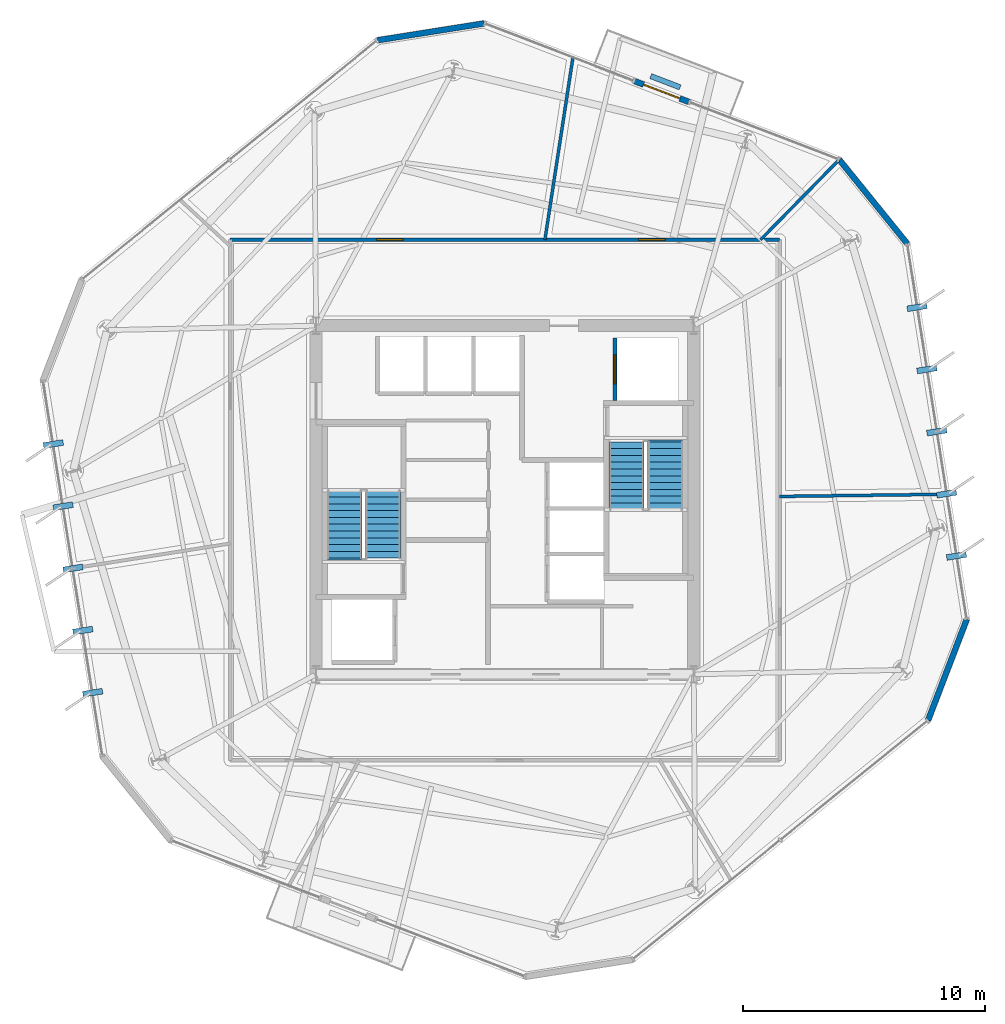
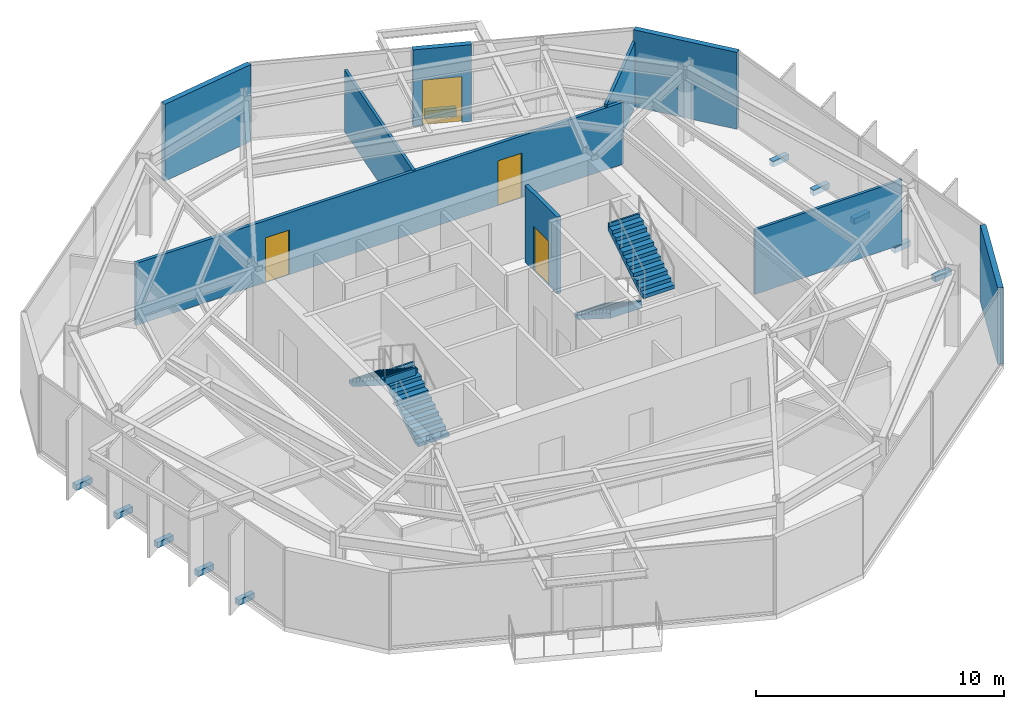
# One storey, part 8 of 12: 10 discrete accessories, 10 walls, 4 doors, 4 stair flights, 4 openings, 2 elements without a shape of their own.
"""IFC4 building model written with IfcOpenShell, lengths in metres."""

from ifc_helpers import new_model, si_unit, direction, frame, frame_2d, origin, origin_2d, place, context, subcontext, project, spatial, polyline, rectangle, outline, extrude, material, layer, layer_set, type_object, element, fill, aggregate, save


model = new_model("IFC4")

# Units and contexts
model_context = context("Model", 3, precision=1e-05, world=origin(), true_north=direction((0.0, 1.0)))
body_context = subcontext(model_context, "Body", "Model", "MODEL_VIEW")
ifc_project = project(units=[si_unit("LENGTHUNIT", "METRE"), si_unit("AREAUNIT", "SQUARE_METRE"), si_unit("VOLUMEUNIT", "CUBIC_METRE"), si_unit("PLANEANGLEUNIT", "RADIAN"), si_unit("MASSUNIT", "GRAM", prefix="KILO")], contexts=[model_context])

# Site, building, storey
site_placement = place(None, origin())
site = spatial("IfcSite", under=ifc_project, at=site_placement, CompositionType="ELEMENT")
building_placement = place(site_placement, origin())
building = spatial("IfcBuilding", under=site, at=building_placement, Name="Kranzbogen Civic Tower", CompositionType="ELEMENT")
storey_placement = place(building_placement, frame((0.0, 0.0, 180.800048828125)))
storey = spatial("IfcBuildingStorey", under=building, at=storey_placement, Name="L43", CompositionType="ELEMENT", Elevation=180.800048828125)

# Wall, openings, doors
ifc_material_1 = material(Name="Double-Stud Acoustic Gypsum Partition")
ifc_layer_1 = layer(ifc_material_1, 0.14990234375, Name="Double-Stud Acoustic Gypsum Partition")
ifc_layer_set_1 = layer_set([ifc_layer_1], Name="Double-Stud Acoustic Gypsum Partition")
wall_type_1 = type_object("IfcWallType", Name="Acoustic Corridor and Clinical Partition 150 mm", PredefinedType="PARTITIONING", material=ifc_layer_set_1)
wall_1_placement = place(storey_placement, frame((13.64990234375, 35.75, 0.0), z_axis=(0.0, 0.0, 1.0), x_axis=(1.0, 0.0, 0.0)))
wall_1 = element("IfcWall", 1, at=wall_1_placement, inside=storey, type_object=wall_type_1, Name="L43 corridor partition 01", PredefinedType="PARTITIONING", context=body_context, shape_type="SweptSolid", body=[
    extrude(rectangle(XDim=22.7001953125, YDim=0.14990234375, at=frame_2d((11.35009765625, 0.0))), origin(), (0.0, 0.0, 1.0), 3.050048828125),
])
opening_1_placement = place(wall_1_placement, frame((16.87109375, 0.0, 0.0)))
opening_1 = element("IfcOpeningElement", 2, at=opening_1_placement, cuts=wall_1, Name="Opening D-COR60", PredefinedType="OPENING", context=body_context, shape_type="SweptSolid", body=[
    extrude(rectangle(XDim=1.10009765625, YDim=2.199951171875, at=frame_2d((0.550048828125, 1.10009765625))), frame((0.0, 0.0849609375, 0.0), z_axis=(0.0, -1.0, 0.0), x_axis=(1.0, 0.0, 0.0)), (0.0, 0.0, 1.0), 0.169921875),
])
opening_2_placement = place(wall_1_placement, frame((6.050048828125, 0.0, 0.0)))
opening_2 = element("IfcOpeningElement", 3, at=opening_2_placement, cuts=wall_1, Name="Opening D-COR60", PredefinedType="OPENING", context=body_context, shape_type="SweptSolid", body=[
    extrude(rectangle(XDim=1.10009765625, YDim=2.199951171875, at=frame_2d((0.550048828125, 1.10009765625))), frame((0.0, 0.0849609375, 0.0), z_axis=(0.0, -1.0, 0.0), x_axis=(1.0, 0.0, 0.0)), (0.0, 0.0, 1.0), 0.169921875),
])
ifc_material_2 = material(Name="Oak Timber and Fire Core", Category="wood")
door_type_1 = type_object("IfcDoorType", Name="Corridor Acoustic Fire Door 1100x2200", OperationType="NOTDEFINED", PredefinedType="DOOR", material=ifc_material_2)
door_1_placement = place(opening_1_placement, origin())
door_1 = element("IfcDoor", 4, at=door_1_placement, inside=storey, type_object=door_type_1, Name="L43 Visitor Concierge Foyer door", OperationType="SINGLE_SWING_RIGHT", OverallHeight=2.199951171875, OverallWidth=1.10009765625, PredefinedType="DOOR", context=body_context, shape_type="SweptSolid", body=[
    extrude(rectangle(XDim=1.10009765625, YDim=2.199951171875, at=frame_2d((0.550048828125, 1.10009765625))), frame((0.0, 0.02490234375, 0.0), z_axis=(0.0, -1.0, 0.0), x_axis=(1.0, 0.0, 0.0)), (0.0, 0.0, 1.0), 0.050048828125),
])
fill(opening_1, door_1)
door_2_placement = place(opening_2_placement, origin())
door_2 = element("IfcDoor", 5, at=door_2_placement, inside=storey, type_object=door_type_1, Name="L43 Protocol Entrance Reception door", OperationType="SINGLE_SWING_LEFT", OverallHeight=2.199951171875, OverallWidth=1.10009765625, PredefinedType="DOOR", context=body_context, shape_type="SweptSolid", body=[
    extrude(rectangle(XDim=1.10009765625, YDim=2.199951171875, at=frame_2d((0.550048828125, 1.10009765625))), frame((0.0, 0.02490234375, 0.0), z_axis=(0.0, -1.0, 0.0), x_axis=(1.0, 0.0, 0.0)), (0.0, 0.0, 1.0), 0.050048828125),
])
fill(opening_2, door_2)

# Walls
ifc_material_3 = material(Name="Insulated Metal-Stud Gypsum Partition")
ifc_layer_2 = layer(ifc_material_3, 0.125, Name="Insulated Metal-Stud Gypsum Partition")
ifc_layer_set_2 = layer_set([ifc_layer_2], Name="Insulated Metal-Stud Gypsum Partition")
wall_type_2 = type_object("IfcWallType", Name="Acoustic Inter-Room Partition 125 mm", PredefinedType="PARTITIONING", material=ifc_layer_set_2)
wall_2_placement = place(storey_placement, frame((26.653076171875, 35.75, 0.0), z_axis=(0.0, 0.0, 1.0), x_axis=(0.151972699026, 0.988384691682, 0.0)))
element("IfcWall", 6, at=wall_2_placement, inside=storey, type_object=wall_type_2, Name="L43 radial room partition 01", PredefinedType="PARTITIONING", context=body_context, shape_type="SweptSolid", body=[
    extrude(rectangle(XDim=7.600341796875, YDim=0.125, at=frame_2d((3.80029296875, 0.0))), origin(), (0.0, 0.0, 1.0), 3.050048828125),
])
wall_3_placement = place(storey_placement, frame((36.35009765625, 25.14697265625, 0.0), z_axis=(0.0, 0.0, 1.0), x_axis=(0.999916442153, 0.012927053497, 0.0)))
element("IfcWall", 7, at=wall_3_placement, inside=storey, type_object=wall_type_2, Name="L43 radial room partition 06", PredefinedType="PARTITIONING", context=body_context, shape_type="SweptSolid", body=[
    extrude(rectangle(XDim=6.893310546875, YDim=0.125, at=frame_2d((3.44677734375, 0.0))), origin(), (0.0, 0.0, 1.0), 3.179931640625),
])
wall_4_placement = place(storey_placement, frame((35.56005859375, 35.75, 0.0), z_axis=(0.0, 0.0, 1.0), x_axis=(0.700786827559, 0.71337074675, 0.0)))
element("IfcWall", 8, at=wall_4_placement, inside=storey, type_object=wall_type_2, Name="L43 radial room partition 07", PredefinedType="PARTITIONING", context=body_context, shape_type="SweptSolid", body=[
    extrude(rectangle(XDim=4.617431640625, YDim=0.125, at=frame_2d((2.30859375, 0.0))), origin(), (0.0, 0.0, 1.0), 3.179931640625),
])
ifc_material_4 = material(Name="Architectural Precast Terracotta Concrete C40/50", Category="masonry")
ifc_layer_3 = layer(ifc_material_4, 0.219970703125, Name="Architectural Precast Terracotta Concrete C40/50")
ifc_layer_set_3 = layer_set([ifc_layer_3], Name="Architectural Precast Terracotta Concrete C40/50")
wall_type_3 = type_object("IfcWallType", Name="Architectural Tree Planter Kerb Wall 220 mm", PredefinedType="USERDEFINED", material=ifc_layer_set_3)
wall_5_placement = place(storey_placement, frame((32.239013671875, 42.0419921875, 0.0), z_axis=(0.0, 0.0, 1.0), x_axis=(-0.933577653273, 0.358375173959, 0.0)))
element("IfcWall", 9, at=wall_5_placement, inside=storey, type_object=wall_type_3, Name="L43 landscaped tree balcony planter L43-TB1", ObjectType="PLANTER_WALL", PredefinedType="USERDEFINED", context=body_context, shape_type="SweptSolid", body=[
    extrude(rectangle(XDim=1.300537109375, YDim=0.219970703125, at=frame_2d((0.650390625, 0.0))), origin(), (0.0, 0.0, 1.0), 0.39990234375),
])

# Wall, opening, door
ifc_material_5 = material(Name="Gypsum Fireboard Shaftliner")
ifc_layer_4 = layer(ifc_material_5, 0.175048828125, Name="Gypsum Fireboard Shaftliner")
ifc_layer_set_4 = layer_set([ifc_layer_4], Name="Gypsum Fireboard Shaftliner")
wall_type_4 = type_object("IfcWallType", Name="Fire-Rated Lift and Service Shaft Wall 175 mm", PredefinedType="PARTITIONING", material=ifc_layer_set_4)
wall_6_placement = place(storey_placement, frame((29.550048828125, 29.10009765625, 0.0), z_axis=(0.0, 0.0, 1.0), x_axis=(0.0, 1.0, 0.0)))
wall_6 = element("IfcWall", 10, at=wall_6_placement, inside=storey, type_object=wall_type_4, Name="L43 lift FF-02 landing wall", PredefinedType="PARTITIONING", context=body_context, shape_type="SweptSolid", body=[
    extrude(rectangle(XDim=2.599853515625, YDim=0.175048828125, at=frame_2d((1.2998046875, 0.0))), origin(), (0.0, 0.0, 1.0), 3.780029296875),
])
opening_3_placement = place(wall_6_placement, frame((0.699951171875, 0.0, 0.0)))
opening_3 = element("IfcOpeningElement", 11, at=opening_3_placement, cuts=wall_6, Name="Opening LD-FF-02", PredefinedType="OPENING", context=body_context, shape_type="SweptSolid", body=[
    extrude(rectangle(XDim=1.199951171875, YDim=2.199951171875, at=frame_2d((0.60009765625, 1.10009765625))), frame((0.0, 0.09765625, 0.0), z_axis=(0.0, -1.0, 0.0), x_axis=(1.0, 0.0, 0.0)), (0.0, 0.0, 1.0), 0.195068359375),
])
ifc_material_6 = material(Name="Pale Anodised Aluminium", Category="aluminium")
door_type_2 = type_object("IfcDoorType", Name="Firefighting and Stretcher Lift Sliding Landing Door 1200x2200", OperationType="DOUBLE_DOOR_SLIDING", PredefinedType="DOOR", material=ifc_material_6)
door_3_placement = place(opening_3_placement, origin())
door_3 = element("IfcDoor", 12, at=door_3_placement, inside=storey, type_object=door_type_2, Name="L43 lift FF-02 sliding landing door", OperationType="DOUBLE_DOOR_SLIDING", OverallHeight=2.199951171875, OverallWidth=1.199951171875, PredefinedType="DOOR", context=body_context, shape_type="SweptSolid", body=[
    extrude(rectangle(XDim=1.199951171875, YDim=2.199951171875, at=frame_2d((0.60009765625, 1.10009765625))), frame((0.0, 0.02490234375, 0.0), z_axis=(0.0, -1.0, 0.0), x_axis=(1.0, 0.0, 0.0)), (0.0, 0.0, 1.0), 0.050048828125),
])
fill(opening_3, door_3)

ifc_layer_5 = layer(ifc_material_6, 0.239990234375, Name="Pale Anodised Aluminium")
ifc_layer_set_5 = layer_set([ifc_layer_5], Name="Pale Anodised Aluminium")
wall_type_5 = type_object("IfcWallType", Name="Insulated Aluminium Facade Portal Wall 240 mm", PredefinedType="STANDARD", material=ifc_layer_set_5)
wall_7_placement = place(storey_placement, frame((32.596923828125, 41.44091796875, 0.0), z_axis=(0.0, 0.0, 1.0), x_axis=(-0.933544764029, 0.358460839638, 0.0)))
wall_7 = element("IfcWall", 13, at=wall_7_placement, inside=storey, type_object=wall_type_5, Name="L43 exterior entrance portal wall 1", PredefinedType="STANDARD", context=body_context, shape_type="SweptSolid", body=[
    extrude(rectangle(XDim=2.3994140625, YDim=0.239990234375, at=frame_2d((1.19970703125, 0.0))), origin(), (0.0, 0.0, 1.0), 3.780029296875),
])
opening_4_placement = place(wall_7_placement, frame((0.39990234375, 0.0, 0.0)))
opening_4 = element("IfcOpeningElement", 14, at=opening_4_placement, cuts=wall_7, Name="Opening D-TER", PredefinedType="OPENING", context=body_context, shape_type="SweptSolid", body=[
    extrude(rectangle(XDim=1.60009765625, YDim=2.25, at=frame_2d((0.800048828125, 1.125))), frame((0.0, 0.1298828125, 0.0), z_axis=(0.0, -1.0, 0.0), x_axis=(1.0, 0.0, 0.0)), (0.0, 0.0, 1.0), 0.260009765625),
])
ifc_material_7 = material(Name="Anodised Bronze and Triple Glass", Category="glass")
door_type_3 = type_object("IfcDoorType", Name="Glazed Terrace and Balcony Double Door 1600x2250", OperationType="DOUBLE_DOOR_SINGLE_SWING", PredefinedType="DOOR", material=ifc_material_7)
door_4_placement = place(opening_4_placement, frame((1.60009765625, 0.0, 0.0), z_axis=(0.0, 0.0, 1.0), x_axis=(-1.0, 0.0, 0.0)))
door_4 = element("IfcDoor", 15, at=door_4_placement, inside=storey, type_object=door_type_3, Name="L43 tree balcony access door L43-TB1", OperationType="DOUBLE_DOOR_SINGLE_SWING", OverallHeight=2.25, OverallWidth=1.60009765625, PredefinedType="DOOR", context=body_context, shape_type="SweptSolid", body=[
    extrude(rectangle(XDim=1.60009765625, YDim=2.25, at=frame_2d((0.800048828125, 1.125))), frame((0.0, 0.02490234375, 0.0), z_axis=(0.0, -1.0, 0.0), x_axis=(1.0, 0.0, 0.0)), (0.0, 0.0, 1.0), 0.050048828125),
])
fill(opening_4, door_4)

# Walls
wall_8_placement = place(storey_placement, frame((24.14404296875, 44.68603515625, 0.0), z_axis=(0.0, 0.0, 1.0), x_axis=(-0.987693325828, -0.156402986275, 0.0)))
element("IfcWall", 16, at=wall_8_placement, inside=storey, type_object=wall_type_5, Name="L43 chamfered corner facade spandrel 1", PredefinedType="STANDARD", context=body_context, shape_type="SweptSolid", body=[
    extrude(rectangle(XDim=4.468994140625, YDim=0.239990234375, at=frame_2d((2.234375, 0.0))), origin(), (0.0, 0.0, 1.0), 3.780029296875),
])
wall_9_placement = place(storey_placement, frame((42.47705078125, 15.89892578125, 0.0), z_axis=(0.0, 0.0, 1.0), x_axis=(0.358114682982, 0.933677607011, 0.0)))
element("IfcWall", 17, at=wall_9_placement, inside=storey, type_object=wall_type_5, Name="L43 chamfered corner facade spandrel 5", PredefinedType="STANDARD", context=body_context, shape_type="SweptSolid", body=[
    extrude(rectangle(XDim=4.467529296875, YDim=0.239990234375, at=frame_2d((2.23388671875, 0.0))), origin(), (0.0, 0.0, 1.0), 3.780029296875),
])
wall_10_placement = place(storey_placement, frame((41.62109375, 35.583984375, 0.0), z_axis=(0.0, 0.0, 1.0), x_axis=(-0.629281524136, 0.777177433654, 0.0)))
element("IfcWall", 18, at=wall_10_placement, inside=storey, type_object=wall_type_5, Name="L43 chamfered corner facade spandrel 6", PredefinedType="STANDARD", context=body_context, shape_type="SweptSolid", body=[
    extrude(rectangle(XDim=4.468505859375, YDim=0.239990234375, at=frame_2d((2.234375, 0.0))), origin(), (0.0, 0.0, 1.0), 3.780029296875),
])

# Stair, stair flights
ifc_material_8 = material(Name="Precast concrete C40/50", Category="concrete")
stair_type_1 = type_object("IfcStairType", Name="Tower Core Pressurized Dogleg Stair 1450", PredefinedType="HALF_TURN_STAIR", material=ifc_material_8)
stair_1_placement = place(storey_placement, origin())
stair_1 = element("IfcStair", 19, at=stair_1_placement, inside=storey, type_object=stair_type_1, Name="L43 Tower Core Pressurized Stair 1", PredefinedType="HALF_TURN_STAIR")
stair_flight_type = type_object("IfcStairFlightType", Name="Precast Concrete Stair Flight R180", PredefinedType="STRAIGHT", material=ifc_material_8)
stair_flight_1_placement = place(storey_placement, frame((19.97509765625, 22.60009765625, 0.0), z_axis=(0.0, 0.0, 1.0), x_axis=(0.0, 1.0, 0.0)))
stair_flight_1 = element("IfcStairFlight", 20, at=stair_flight_1_placement, type_object=stair_flight_type, Name="ST-T1 flight 1", NumberOfRisers=11, NumberOfTreads=10, PredefinedType="STRAIGHT", RiserHeight=0.181818182, TreadLength=0.28, context=body_context, shape_type="SweptSolid", body=[
    extrude(outline(polyline([(0.0, 0.0), (0.0, 0.181884765625), (0.280029296875, 0.181884765625), (0.280029296875, 0.363525390625), (0.56005859375, 0.363525390625), (0.56005859375, 0.54541015625), (0.840087890625, 0.54541015625), (0.840087890625, 0.727294921875), (1.1201171875, 0.727294921875), (1.1201171875, 0.9091796875), (1.39990234375, 0.9091796875), (1.39990234375, 1.0908203125), (1.679931640625, 1.0908203125), (1.679931640625, 1.272705078125), (1.9599609375, 1.272705078125), (1.9599609375, 1.45458984375), (2.239990234375, 1.45458984375), (2.239990234375, 1.636474609375), (2.52001953125, 1.636474609375), (2.52001953125, 1.818115234375), (2.800048828125, 1.818115234375), (2.800048828125, 2.0), (2.880126953125, 2.0), (2.880126953125, 1.639404296875), (0.275146484375, 0.0), (0.0, 0.0)])), frame((0.0, 0.72509765625, 0.0), z_axis=(0.0, -1.0, 0.0), x_axis=(1.0, 0.0, 0.0)), (0.0, 0.0, 1.0), 1.449951171875),
])
stair_flight_2_placement = place(storey_placement, frame((18.375, 25.39990234375, 2.0), z_axis=(0.0, 0.0, 1.0), x_axis=(0.0, -1.0, 0.0)))
stair_flight_2 = element("IfcStairFlight", 21, at=stair_flight_2_placement, type_object=stair_flight_type, Name="ST-T1 flight 2", NumberOfRisers=11, NumberOfTreads=10, PredefinedType="STRAIGHT", RiserHeight=0.181818182, TreadLength=0.28, context=body_context, shape_type="SweptSolid", body=[
    extrude(outline(polyline([(0.0, 0.0), (0.0, 0.181884765625), (0.280029296875, 0.181884765625), (0.280029296875, 0.363525390625), (0.56005859375, 0.363525390625), (0.56005859375, 0.54541015625), (0.840087890625, 0.54541015625), (0.840087890625, 0.727294921875), (1.1201171875, 0.727294921875), (1.1201171875, 0.9091796875), (1.39990234375, 0.9091796875), (1.39990234375, 1.0908203125), (1.679931640625, 1.0908203125), (1.679931640625, 1.272705078125), (1.9599609375, 1.272705078125), (1.9599609375, 1.45458984375), (2.239990234375, 1.45458984375), (2.239990234375, 1.636474609375), (2.52001953125, 1.636474609375), (2.52001953125, 1.818115234375), (2.800048828125, 1.818115234375), (2.800048828125, 2.0), (2.880126953125, 2.0), (2.880126953125, 1.639404296875), (0.275146484375, 0.0), (0.0, 0.0)])), frame((0.0, 0.72509765625, 0.0), z_axis=(0.0, -1.0, 0.0), x_axis=(1.0, 0.0, 0.0)), (0.0, 0.0, 1.0), 1.449951171875),
])
aggregate(stair_1, [stair_flight_1, stair_flight_2])

stair_type_2 = type_object("IfcStairType", Name="Tower Core Secondary Dogleg Stair 1450", PredefinedType="HALF_TURN_STAIR", material=ifc_material_8)
stair_2_placement = place(storey_placement, origin())
stair_2 = element("IfcStair", 22, at=stair_2_placement, inside=storey, type_object=stair_type_2, Name="L43 Tower Core Pressurized Stair 2", PredefinedType="HALF_TURN_STAIR")
stair_flight_3_placement = place(storey_placement, frame((30.02490234375, 27.39990234375, 0.0), z_axis=(0.0, 0.0, 1.0), x_axis=(0.0, -1.0, 0.0)))
stair_flight_3 = element("IfcStairFlight", 23, at=stair_flight_3_placement, type_object=stair_flight_type, Name="ST-T2 flight 1", NumberOfRisers=11, NumberOfTreads=10, PredefinedType="STRAIGHT", RiserHeight=0.181818182, TreadLength=0.28, context=body_context, shape_type="SweptSolid", body=[
    extrude(outline(polyline([(0.0, 0.0), (0.0, 0.181884765625), (0.280029296875, 0.181884765625), (0.280029296875, 0.363525390625), (0.56005859375, 0.363525390625), (0.56005859375, 0.54541015625), (0.840087890625, 0.54541015625), (0.840087890625, 0.727294921875), (1.1201171875, 0.727294921875), (1.1201171875, 0.9091796875), (1.39990234375, 0.9091796875), (1.39990234375, 1.0908203125), (1.679931640625, 1.0908203125), (1.679931640625, 1.272705078125), (1.9599609375, 1.272705078125), (1.9599609375, 1.45458984375), (2.239990234375, 1.45458984375), (2.239990234375, 1.636474609375), (2.52001953125, 1.636474609375), (2.52001953125, 1.818115234375), (2.800048828125, 1.818115234375), (2.800048828125, 2.0), (2.880126953125, 2.0), (2.880126953125, 1.639404296875), (0.275146484375, 0.0), (0.0, 0.0)])), frame((0.0, 0.72509765625, 0.0), z_axis=(0.0, -1.0, 0.0), x_axis=(1.0, 0.0, 0.0)), (0.0, 0.0, 1.0), 1.449951171875),
])
stair_flight_4_placement = place(storey_placement, frame((31.625, 24.60009765625, 2.0), z_axis=(0.0, 0.0, 1.0), x_axis=(0.0, 1.0, 0.0)))
stair_flight_4 = element("IfcStairFlight", 24, at=stair_flight_4_placement, type_object=stair_flight_type, Name="ST-T2 flight 2", NumberOfRisers=11, NumberOfTreads=10, PredefinedType="STRAIGHT", RiserHeight=0.181818182, TreadLength=0.28, context=body_context, shape_type="SweptSolid", body=[
    extrude(outline(polyline([(0.0, 0.0), (0.0, 0.181884765625), (0.280029296875, 0.181884765625), (0.280029296875, 0.363525390625), (0.56005859375, 0.363525390625), (0.56005859375, 0.54541015625), (0.840087890625, 0.54541015625), (0.840087890625, 0.727294921875), (1.1201171875, 0.727294921875), (1.1201171875, 0.9091796875), (1.39990234375, 0.9091796875), (1.39990234375, 1.0908203125), (1.679931640625, 1.0908203125), (1.679931640625, 1.272705078125), (1.9599609375, 1.272705078125), (1.9599609375, 1.45458984375), (2.239990234375, 1.45458984375), (2.239990234375, 1.636474609375), (2.52001953125, 1.636474609375), (2.52001953125, 1.818115234375), (2.800048828125, 1.818115234375), (2.800048828125, 2.0), (2.880126953125, 2.0), (2.880126953125, 1.639404296875), (0.275146484375, 0.0), (0.0, 0.0)])), frame((0.0, 0.72509765625, 0.0), z_axis=(0.0, -1.0, 0.0), x_axis=(1.0, 0.0, 0.0)), (0.0, 0.0, 1.0), 1.449951171875),
])
aggregate(stair_2, [stair_flight_3, stair_flight_4])

# Discrete accessories
ifc_material_9 = material(Name="Steel S355", Category="steel")
discrete_accessory_type = type_object("IfcDiscreteAccessoryType", Name="Structural Curtain-Wall Fin Support Bracket", PredefinedType="BRACKET", material=ifc_material_9)
for number, where, z_axis, x_axis, name in (
    (25, (6.34912109375, 27.31103515625, -0.25), (0.0, 0.0, 1.0), (-0.987688340595, -0.15643446504, 0.0), "L43 facade fin support bracket F3-1"),
    (26, (6.756103515625, 24.742919921875, -0.25), (0.0, 0.0, 1.0), (-0.987688340595, -0.15643446504, 0.0), "L43 facade fin support bracket F3-2"),
    (27, (7.162109375, 22.175048828125, -0.25), (0.0, 0.0, 1.0), (-0.987688340595, -0.15643446504, 0.0), "L43 facade fin support bracket F3-3"),
    (28, (7.569091796875, 19.60693359375, -0.25), (0.0, 0.0, 1.0), (-0.987688340595, -0.15643446504, 0.0), "L43 facade fin support bracket F3-4"),
    (29, (7.97607421875, 17.0390625, -0.25), (0.0, 0.0, 1.0), (-0.987688340595, -0.15643446504, 0.0), "L43 facade fin support bracket F3-5"),
    (30, (43.65087890625, 22.68896484375, -0.25), (0.0, 0.0, 1.0), (0.987688340595, 0.15643446504, 0.0), "L43 facade fin support bracket F6-1"),
    (31, (43.243896484375, 25.257080078125, -0.25), (0.0, 0.0, 1.0), (0.987688340595, 0.15643446504, 0.0), "L43 facade fin support bracket F6-2"),
    (32, (42.837890625, 27.824951171875, -0.25), (0.0, 0.0, 1.0), (0.987688340595, 0.15643446504, 0.0), "L43 facade fin support bracket F6-3"),
    (33, (42.430908203125, 30.39306640625, -0.25), (0.0, 0.0, 1.0), (0.987688340595, 0.15643446504, 0.0), "L43 facade fin support bracket F6-4"),
    (34, (42.02392578125, 32.9609375, -0.25), (0.0, 0.0, 1.0), (0.987688340595, 0.15643446504, 0.0), "L43 facade fin support bracket F6-5"),
):
    element("IfcDiscreteAccessory", number, at=place(storey_placement, frame(where, z_axis=z_axis, x_axis=x_axis)), inside=storey, type_object=discrete_accessory_type, Name=name, PredefinedType="BRACKET", context=body_context, shape_type="SweptSolid", body=[
        extrude(rectangle(XDim=0.820068359375, YDim=0.239990234375, at=origin_2d()), origin(), (0.0, 0.0, 1.0), 0.280029296875),
    ])

save(model, "model.ifc")
